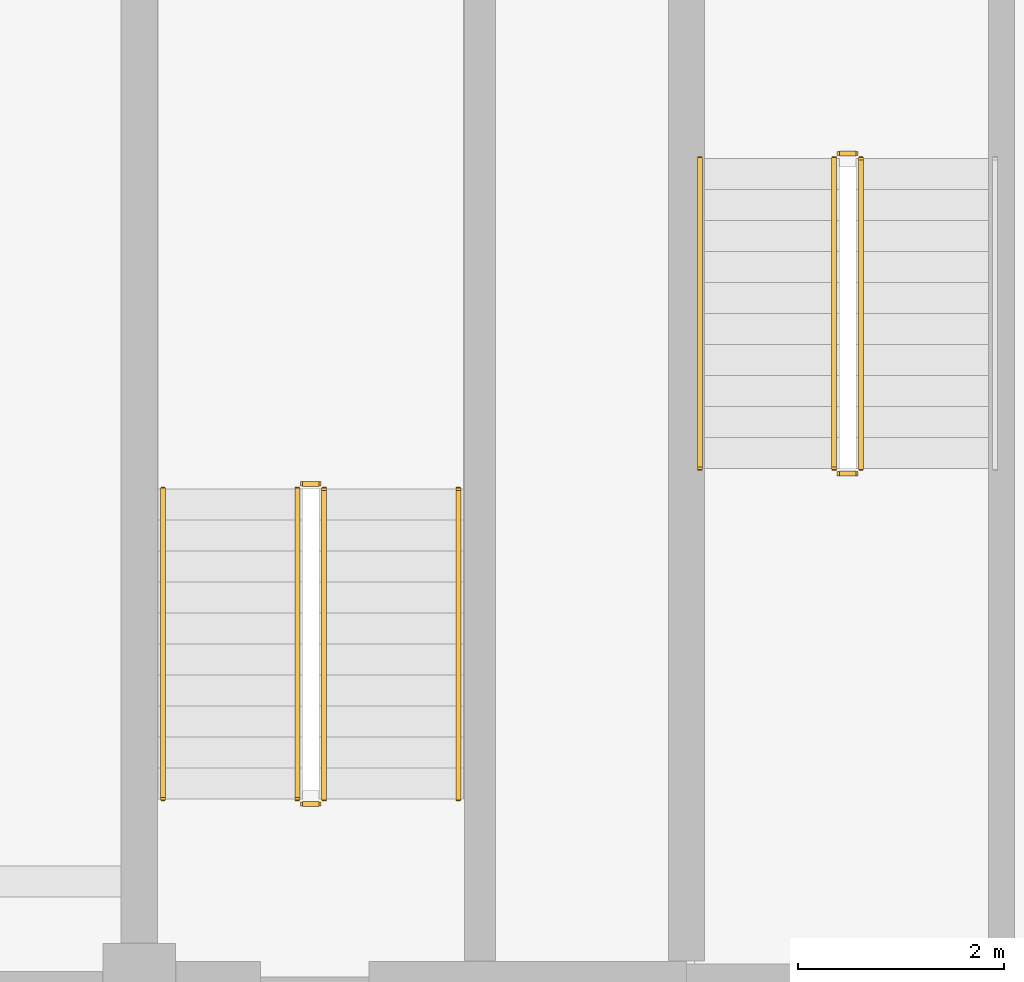
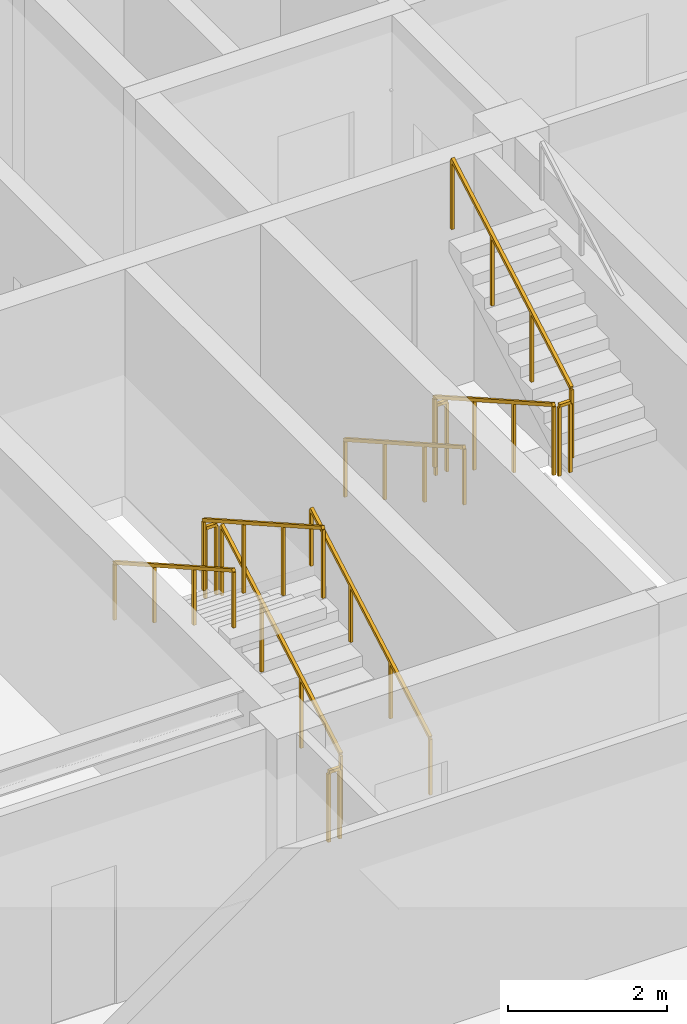
# One storey, part 8 of 11: 11 railings.
"""IFC4 building model written with IfcOpenShell, lengths in metres."""

from ifc_helpers import new_model, si_unit, direction, frame, origin, origin_2d, place, context, subcontext, project, spatial, rectangle, extrude, material, type_object, element, save


model = new_model("IFC4")

# Units and contexts
model_context = context("Model", 3, precision=1e-05, world=origin(), true_north=direction((0.0, 1.0)))
body_context = subcontext(model_context, "Body", "Model", "MODEL_VIEW")
ifc_project = project(units=[si_unit("LENGTHUNIT", "METRE"), si_unit("AREAUNIT", "SQUARE_METRE"), si_unit("VOLUMEUNIT", "CUBIC_METRE"), si_unit("PLANEANGLEUNIT", "RADIAN"), si_unit("MASSUNIT", "GRAM", prefix="KILO")], contexts=[model_context])

# Site, building, storey
site_placement = place(None, origin())
site = spatial("IfcSite", under=ifc_project, at=site_placement, CompositionType="ELEMENT")
building_placement = place(site_placement, origin())
building = spatial("IfcBuilding", under=site, at=building_placement, Name="Zulmaris Gate Convention Tower", CompositionType="ELEMENT")
storey_placement = place(building_placement, frame((0.0, 0.0, 270.580078125)))
storey = spatial("IfcBuildingStorey", under=building, at=storey_placement, Name="L72", CompositionType="ELEMENT", Elevation=270.580078125)

# Railings
ifc_material_1 = material(Name="Painted Galvanised Steel", Category="steel")
railing_type_1 = type_object("IfcRailingType", Name="RL-STG-1150", PredefinedType="GUARDRAIL", material=ifc_material_1)
railing_1_placement = place(storey_placement, frame((-13.27001953125, -2.0, 0.169921875)))
element("IfcRailing", 1, at=railing_1_placement, inside=storey, type_object=railing_type_1, Name="L72 ST-1 stair guard 1", PredefinedType="GUARDRAIL", context=body_context, shape_type="SweptSolid", body=[
    extrude(rectangle(XDim=0.048095703125, YDim=0.048095703125, at=origin_2d()), frame((0.0, 0.0, 1.076171875), z_axis=(0.0, -0.869997889882, 0.493055444754), x_axis=(1.0, 0.0, 0.0)), (0.0, 0.0, 1.0), 3.4482421875),
    extrude(rectangle(XDim=0.0419921875, YDim=0.0419921875, at=origin_2d()), origin(), (0.0, 0.0, 1.0), 1.052001953125),
    extrude(rectangle(XDim=0.0419921875, YDim=0.0419921875, at=origin_2d()), frame((0.0, -1.0, 0.566650390625)), (0.0, 0.0, 1.0), 1.052001953125),
    extrude(rectangle(XDim=0.0419921875, YDim=0.0419921875, at=origin_2d()), frame((0.0, -2.0, 1.133544921875)), (0.0, 0.0, 1.0), 1.052001953125),
    extrude(rectangle(XDim=0.0419921875, YDim=0.0419921875, at=origin_2d()), frame((0.0, -3.0, 1.7001953125)), (0.0, 0.0, 1.0), 1.052001953125),
])
railing_2_placement = place(storey_placement, frame((-13.219970703125, -5.050048828125, 1.8701171875)))
element("IfcRailing", 2, at=railing_2_placement, inside=storey, type_object=railing_type_1, Name="L72 ST-1 stair guard 2", PredefinedType="GUARDRAIL", context=body_context, shape_type="SweptSolid", body=[
    extrude(rectangle(XDim=0.048095703125, YDim=0.048095703125, at=origin_2d()), frame((0.0, 0.0, 1.076171875), z_axis=(1.0, 0.0, 0.0), x_axis=(0.0, 1.0, 0.0)), (0.0, 0.0, 1.0), 0.159912109375),
    extrude(rectangle(XDim=0.0419921875, YDim=0.0419921875, at=origin_2d()), origin(), (0.0, 0.0, 1.0), 1.052001953125),
    extrude(rectangle(XDim=0.0419921875, YDim=0.0419921875, at=origin_2d()), frame((0.159912109375, 0.0, 0.0)), (0.0, 0.0, 1.0), 1.052001953125),
])
railing_3_placement = place(storey_placement, frame((-13.010009765625, -5.0, 2.0400390625)))
element("IfcRailing", 3, at=railing_3_placement, inside=storey, type_object=railing_type_1, Name="L72 ST-1 stair guard 3", PredefinedType="GUARDRAIL", context=body_context, shape_type="SweptSolid", body=[
    extrude(rectangle(XDim=0.048095703125, YDim=0.048095703125, at=origin_2d()), frame((0.0, 0.0, 1.076171875), z_axis=(0.0, 0.870028259722, 0.493001853226), x_axis=(-1.0, 0.0, 0.0)), (0.0, 0.0, 1.0), 3.4482421875),
    extrude(rectangle(XDim=0.0419921875, YDim=0.0419921875, at=origin_2d()), origin(), (0.0, 0.0, 1.0), 1.052001953125),
    extrude(rectangle(XDim=0.0419921875, YDim=0.0419921875, at=origin_2d()), frame((0.0, 1.0, 0.566650390625)), (0.0, 0.0, 1.0), 1.052001953125),
    extrude(rectangle(XDim=0.0419921875, YDim=0.0419921875, at=origin_2d()), frame((0.0, 2.0, 1.13330078125)), (0.0, 0.0, 1.0), 1.052001953125),
    extrude(rectangle(XDim=0.0419921875, YDim=0.0419921875, at=origin_2d()), frame((0.0, 3.0, 1.699951171875)), (0.0, 0.0, 1.0), 1.052001953125),
])
railing_4_placement = place(storey_placement, frame((-13.219970703125, -1.949951171875, 0.0)))
element("IfcRailing", 4, at=railing_4_placement, inside=storey, type_object=railing_type_1, Name="L72 ST-1 stair guard 4", PredefinedType="GUARDRAIL", context=body_context, shape_type="SweptSolid", body=[
    extrude(rectangle(XDim=0.048095703125, YDim=0.048095703125, at=origin_2d()), frame((0.0, 0.0, 1.076171875), z_axis=(1.0, 0.0, 0.0), x_axis=(0.0, 1.0, 0.0)), (0.0, 0.0, 1.0), 0.159912109375),
    extrude(rectangle(XDim=0.0419921875, YDim=0.0419921875, at=origin_2d()), origin(), (0.0, 0.0, 1.0), 1.052001953125),
    extrude(rectangle(XDim=0.0419921875, YDim=0.0419921875, at=origin_2d()), frame((0.159912109375, 0.0, 0.0)), (0.0, 0.0, 1.0), 1.052001953125),
])
railing_5_placement = place(storey_placement, frame((-18.2099609375, -8.199951171875, 0.169921875)))
element("IfcRailing", 5, at=railing_5_placement, inside=storey, type_object=railing_type_1, Name="L72 ST-3 stair guard 1", PredefinedType="GUARDRAIL", context=body_context, shape_type="SweptSolid", body=[
    extrude(rectangle(XDim=0.048095703125, YDim=0.048095703125, at=origin_2d()), frame((0.0, 0.0, 1.076171875), z_axis=(0.0, 0.869997889882, 0.493055444754), x_axis=(-1.0, 0.0, 0.0)), (0.0, 0.0, 1.0), 3.4482421875),
    extrude(rectangle(XDim=0.0419921875, YDim=0.0419921875, at=origin_2d()), origin(), (0.0, 0.0, 1.0), 1.052001953125),
    extrude(rectangle(XDim=0.0419921875, YDim=0.0419921875, at=origin_2d()), frame((0.0, 1.0, 0.566650390625)), (0.0, 0.0, 1.0), 1.052001953125),
    extrude(rectangle(XDim=0.0419921875, YDim=0.0419921875, at=origin_2d()), frame((0.0, 2.0, 1.133544921875)), (0.0, 0.0, 1.0), 1.052001953125),
    extrude(rectangle(XDim=0.0419921875, YDim=0.0419921875, at=origin_2d()), frame((0.0, 3.0, 1.7001953125)), (0.0, 0.0, 1.0), 1.052001953125),
])
railing_6_placement = place(storey_placement, frame((-18.260009765625, -5.14990234375, 1.8701171875)))
element("IfcRailing", 6, at=railing_6_placement, inside=storey, type_object=railing_type_1, Name="L72 ST-3 stair guard 2", PredefinedType="GUARDRAIL", context=body_context, shape_type="SweptSolid", body=[
    extrude(rectangle(XDim=0.048095703125, YDim=0.048095703125, at=origin_2d()), frame((0.0, 0.0, 1.076171875), z_axis=(-1.0, 0.0, 0.0), x_axis=(0.0, -1.0, 0.0)), (0.0, 0.0, 1.0), 0.159912109375),
    extrude(rectangle(XDim=0.0419921875, YDim=0.0419921875, at=origin_2d()), origin(), (0.0, 0.0, 1.0), 1.052001953125),
    extrude(rectangle(XDim=0.0419921875, YDim=0.0419921875, at=origin_2d()), frame((-0.159912109375, 0.0, 0.0)), (0.0, 0.0, 1.0), 1.052001953125),
])
railing_7_placement = place(storey_placement, frame((-18.469970703125, -5.199951171875, 2.0400390625)))
element("IfcRailing", 7, at=railing_7_placement, inside=storey, type_object=railing_type_1, Name="L72 ST-3 stair guard 3", PredefinedType="GUARDRAIL", context=body_context, shape_type="SweptSolid", body=[
    extrude(rectangle(XDim=0.048095703125, YDim=0.048095703125, at=origin_2d()), frame((0.0, 0.0, 1.076171875), z_axis=(0.0, -0.870028259722, 0.493001853226), x_axis=(1.0, 0.0, 0.0)), (0.0, 0.0, 1.0), 3.4482421875),
    extrude(rectangle(XDim=0.0419921875, YDim=0.0419921875, at=origin_2d()), origin(), (0.0, 0.0, 1.0), 1.052001953125),
    extrude(rectangle(XDim=0.0419921875, YDim=0.0419921875, at=origin_2d()), frame((0.0, -1.0, 0.566650390625)), (0.0, 0.0, 1.0), 1.052001953125),
    extrude(rectangle(XDim=0.0419921875, YDim=0.0419921875, at=origin_2d()), frame((0.0, -2.0, 1.13330078125)), (0.0, 0.0, 1.0), 1.052001953125),
    extrude(rectangle(XDim=0.0419921875, YDim=0.0419921875, at=origin_2d()), frame((0.0, -3.0, 1.699951171875)), (0.0, 0.0, 1.0), 1.052001953125),
])
railing_8_placement = place(storey_placement, frame((-18.260009765625, -8.25, 0.0)))
element("IfcRailing", 8, at=railing_8_placement, inside=storey, type_object=railing_type_1, Name="L72 ST-3 stair guard 4", PredefinedType="GUARDRAIL", context=body_context, shape_type="SweptSolid", body=[
    extrude(rectangle(XDim=0.048095703125, YDim=0.048095703125, at=origin_2d()), frame((0.0, 0.0, 1.076171875), z_axis=(-1.0, 0.0, 0.0), x_axis=(0.0, -1.0, 0.0)), (0.0, 0.0, 1.0), 0.159912109375),
    extrude(rectangle(XDim=0.0419921875, YDim=0.0419921875, at=origin_2d()), origin(), (0.0, 0.0, 1.0), 1.052001953125),
    extrude(rectangle(XDim=0.0419921875, YDim=0.0419921875, at=origin_2d()), frame((-0.159912109375, 0.0, 0.0)), (0.0, 0.0, 1.0), 1.052001953125),
])
ifc_material_2 = material(Name="Brushed Stainless Steel", Category="steel")
railing_type_2 = type_object("IfcRailingType", Name="RL-STH-900", PredefinedType="HANDRAIL", material=ifc_material_2)
railing_9_placement = place(storey_placement, frame((-14.570068359375, -2.0, 0.169921875)))
element("IfcRailing", 9, at=railing_9_placement, inside=storey, type_object=railing_type_2, Name="L72 ST-1 stair handrail 1", PredefinedType="HANDRAIL", context=body_context, shape_type="SweptSolid", body=[
    extrude(rectangle(XDim=0.048095703125, YDim=0.048095703125, at=origin_2d()), frame((0.0, 0.0, 0.8759765625), z_axis=(0.0, -0.869997889882, 0.493055444754), x_axis=(1.0, 0.0, 0.0)), (0.0, 0.0, 1.0), 3.4482421875),
    extrude(rectangle(XDim=0.0419921875, YDim=0.0419921875, at=origin_2d()), origin(), (0.0, 0.0, 1.0), 0.851806640625),
    extrude(rectangle(XDim=0.0419921875, YDim=0.0419921875, at=origin_2d()), frame((0.0, -1.0, 0.566650390625)), (0.0, 0.0, 1.0), 0.851806640625),
    extrude(rectangle(XDim=0.0419921875, YDim=0.0419921875, at=origin_2d()), frame((0.0, -2.0, 1.133544921875)), (0.0, 0.0, 1.0), 0.851806640625),
    extrude(rectangle(XDim=0.0419921875, YDim=0.0419921875, at=origin_2d()), frame((0.0, -3.0, 1.7001953125)), (0.0, 0.0, 1.0), 0.851806640625),
])
railing_10_placement = place(storey_placement, frame((-16.909912109375, -8.199951171875, 0.169921875)))
element("IfcRailing", 10, at=railing_10_placement, inside=storey, type_object=railing_type_2, Name="L72 ST-3 stair handrail 1", PredefinedType="HANDRAIL", context=body_context, shape_type="SweptSolid", body=[
    extrude(rectangle(XDim=0.048095703125, YDim=0.048095703125, at=origin_2d()), frame((0.0, 0.0, 0.8759765625), z_axis=(0.0, 0.869997889882, 0.493055444754), x_axis=(-1.0, 0.0, 0.0)), (0.0, 0.0, 1.0), 3.4482421875),
    extrude(rectangle(XDim=0.0419921875, YDim=0.0419921875, at=origin_2d()), origin(), (0.0, 0.0, 1.0), 0.851806640625),
    extrude(rectangle(XDim=0.0419921875, YDim=0.0419921875, at=origin_2d()), frame((0.0, 1.0, 0.566650390625)), (0.0, 0.0, 1.0), 0.851806640625),
    extrude(rectangle(XDim=0.0419921875, YDim=0.0419921875, at=origin_2d()), frame((0.0, 2.0, 1.133544921875)), (0.0, 0.0, 1.0), 0.851806640625),
    extrude(rectangle(XDim=0.0419921875, YDim=0.0419921875, at=origin_2d()), frame((0.0, 3.0, 1.7001953125)), (0.0, 0.0, 1.0), 0.851806640625),
])
railing_11_placement = place(storey_placement, frame((-19.77001953125, -5.199951171875, 2.0400390625)))
element("IfcRailing", 11, at=railing_11_placement, inside=storey, type_object=railing_type_2, Name="L72 ST-3 stair handrail 2", PredefinedType="HANDRAIL", context=body_context, shape_type="SweptSolid", body=[
    extrude(rectangle(XDim=0.048095703125, YDim=0.048095703125, at=origin_2d()), frame((0.0, 0.0, 0.8759765625), z_axis=(0.0, -0.870028259722, 0.493001853226), x_axis=(1.0, 0.0, 0.0)), (0.0, 0.0, 1.0), 3.4482421875),
    extrude(rectangle(XDim=0.0419921875, YDim=0.0419921875, at=origin_2d()), origin(), (0.0, 0.0, 1.0), 0.851806640625),
    extrude(rectangle(XDim=0.0419921875, YDim=0.0419921875, at=origin_2d()), frame((0.0, -1.0, 0.566650390625)), (0.0, 0.0, 1.0), 0.851806640625),
    extrude(rectangle(XDim=0.0419921875, YDim=0.0419921875, at=origin_2d()), frame((0.0, -2.0, 1.13330078125)), (0.0, 0.0, 1.0), 0.851806640625),
    extrude(rectangle(XDim=0.0419921875, YDim=0.0419921875, at=origin_2d()), frame((0.0, -3.0, 1.699951171875)), (0.0, 0.0, 1.0), 0.851806640625),
])

save(model, "model.ifc")
